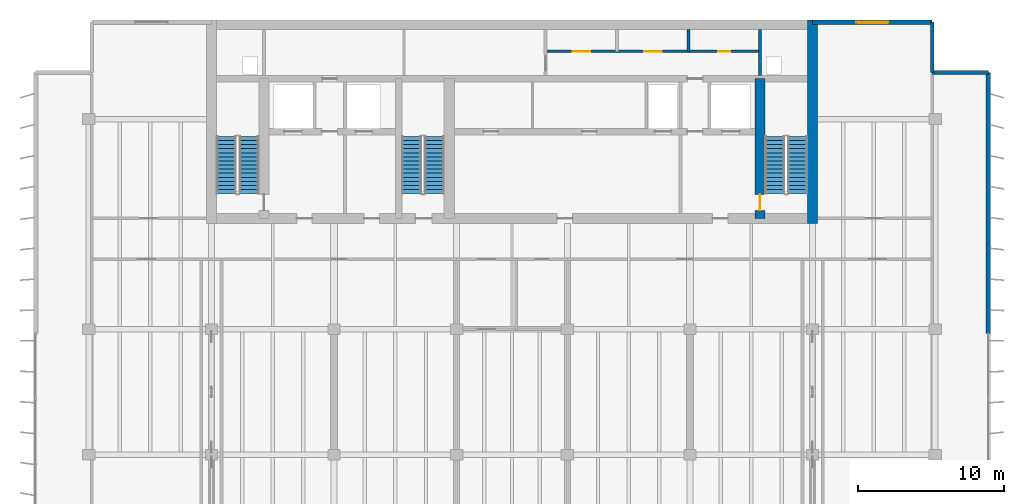
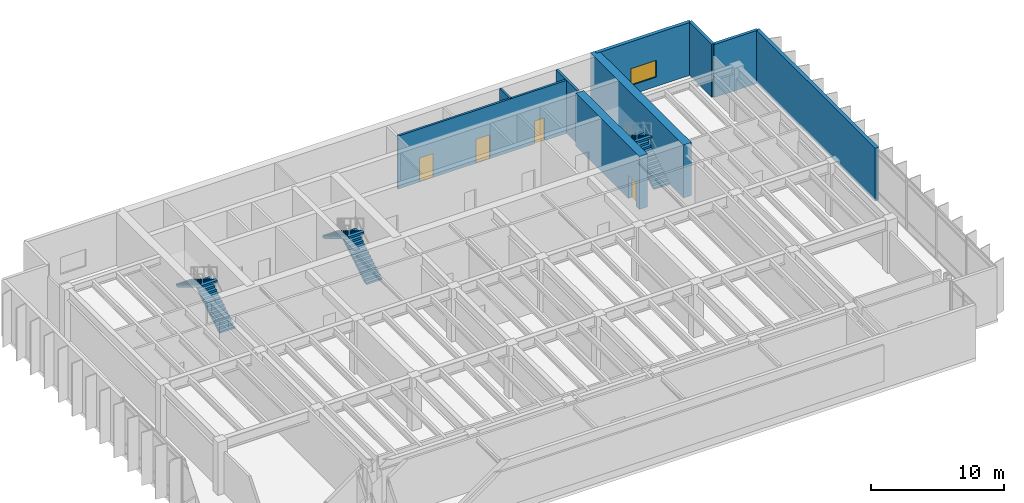
# One storey, part 18 of 23: 9 walls, 6 stair flights, 4 doors, 1 window, 5 openings, 3 elements without a shape of their own.
"""IFC4 building model written with IfcOpenShell, lengths in metres."""

from ifc_helpers import new_model, si_unit, direction, frame, frame_2d, origin, place, context, subcontext, project, spatial, polyline, rectangle, outline, extrude, material, layer, layer_set, type_object, element, fill, aggregate, save


model = new_model("IFC4")

# Units and contexts
model_context = context("Model", 3, precision=1e-05, world=origin(), true_north=direction((0.0, 1.0)))
body_context = subcontext(model_context, "Body", "Model", "MODEL_VIEW")
ifc_project = project(units=[si_unit("LENGTHUNIT", "METRE"), si_unit("AREAUNIT", "SQUARE_METRE"), si_unit("VOLUMEUNIT", "CUBIC_METRE"), si_unit("PLANEANGLEUNIT", "RADIAN"), si_unit("MASSUNIT", "GRAM", prefix="KILO")], contexts=[model_context])

# Site, building, storey
site_placement = place(None, origin())
site = spatial("IfcSite", under=ifc_project, at=site_placement, CompositionType="ELEMENT")
building_placement = place(site_placement, origin())
building = spatial("IfcBuilding", under=site, at=building_placement, Name="Caelmar Bay Residences", CompositionType="ELEMENT")
storey_placement = place(building_placement, frame((0.0, 0.0, 221.39990234375)))
storey = spatial("IfcBuildingStorey", under=building, at=storey_placement, Name="L62", CompositionType="ELEMENT", Elevation=221.39990234375)

# Wall
ifc_material_1 = material(Name="Concrete f'c 55 MPa (8,000 psi)", Category="concrete")
ifc_layer_1 = layer(ifc_material_1, 0.699951171875)
ifc_layer_set_1 = layer_set([ifc_layer_1], Name="Concrete f'c 55 MPa (8,000 psi)")
wall_type_1 = type_object("IfcWallType", Name="SW-COR-700", PredefinedType="SHEAR", material=ifc_layer_set_1)
wall_1_placement = place(storey_placement, frame((59.5, 36.64990234375, 0.0), z_axis=(0.0, 0.0, 1.0), x_axis=(0.0, 1.0, 0.0)))
element("IfcWall", 1, at=wall_1_placement, inside=storey, type_object=wall_type_1, Name="L62 Rear Core East Shear Wall", PredefinedType="SHEAR", context=body_context, shape_type="SweptSolid", body=[
    extrude(rectangle(XDim=13.9501953125, YDim=0.699951171875, at=frame_2d((6.97509765625, 0.0))), origin(), (0.0, 0.0, 1.0), 4.85009765625),
])

# Wall, opening, door
wall_2_placement = place(storey_placement, frame((55.89990234375, 37.0, 0.0), z_axis=(0.0, 0.0, 1.0), x_axis=(0.0, 1.0, 0.0)))
wall_2 = element("IfcWall", 2, at=wall_2_placement, inside=storey, type_object=wall_type_1, Name="L62 Core Structural Web Wall ST2W", PredefinedType="SHEAR", context=body_context, shape_type="SweptSolid", body=[
    extrude(rectangle(XDim=9.574951171875, YDim=0.699951171875, at=frame_2d((4.78759765625, 0.0))), origin(), (0.0, 0.0, 1.0), 4.85009765625),
])
opening_1_placement = place(wall_2_placement, frame((0.550048828125, 0.0, 0.0)))
opening_1 = element("IfcOpeningElement", 3, at=opening_1_placement, cuts=wall_2, Name="Opening D-L62-110", PredefinedType="OPENING", context=body_context, shape_type="SweptSolid", body=[
    extrude(rectangle(XDim=1.10009765625, YDim=2.14990234375, at=frame_2d((0.550048828125, 1.074951171875))), frame((0.0, 0.35986328125, 0.0), z_axis=(0.0, -1.0, 0.0), x_axis=(1.0, 0.0, 0.0)), (0.0, 0.0, 1.0), 0.719970703125),
])
ifc_material_2 = material(Name="Fire-rated steel and walnut architectural door assembly", Category="steel")
ifc_layer_2 = layer(ifc_material_2, 0.050048828125)
ifc_layer_set_2 = layer_set([ifc_layer_2], Name="Fire-rated steel and walnut architectural door assembly")
door_type_1 = type_object("IfcDoorType", Name="D-STAIR-1100", OperationType="NOTDEFINED", PredefinedType="DOOR", material=ifc_layer_set_2)
door_1_placement = place(opening_1_placement, origin())
door_1 = element("IfcDoor", 4, at=door_1_placement, inside=storey, type_object=door_type_1, Name="L62 Firefighting Lobby East Door", OperationType="SINGLE_SWING_LEFT", OverallHeight=2.14990234375, OverallWidth=1.10009765625, PredefinedType="DOOR", context=body_context, shape_type="SweptSolid", body=[
    extrude(rectangle(XDim=1.10009765625, YDim=2.14990234375, at=frame_2d((0.550048828125, 1.074951171875))), frame((0.0, 0.02490234375, 0.0), z_axis=(0.0, -1.0, 0.0), x_axis=(1.0, 0.0, 0.0)), (0.0, 0.0, 1.0), 0.050048828125),
])
fill(opening_1, door_1)

# Wall
ifc_material_3 = material(Name="Double-stud acoustic fire-rated gypsum partition 180 mm")
ifc_layer_3 = layer(ifc_material_3, 0.179931640625)
ifc_layer_set_3 = layer_set([ifc_layer_3], Name="Double-stud acoustic fire-rated gypsum partition 180 mm")
wall_type_2 = type_object("IfcWallType", Name="W-COR-200", PredefinedType="PARTITIONING", material=ifc_layer_set_3)
wall_3_placement = place(storey_placement, frame((51.0, 48.449951171875, 0.0), z_axis=(0.0, 0.0, 1.0), x_axis=(0.0, 1.0, 0.0)))
element("IfcWall", 5, at=wall_3_placement, inside=storey, type_object=wall_type_2, Name="L62 Partition Wall V025", PredefinedType="PARTITIONING", context=body_context, shape_type="SweptSolid", body=[
    extrude(rectangle(XDim=1.505126953125, YDim=0.179931640625, at=frame_2d((0.75244140625, 0.0))), origin(), (0.0, 0.0, 1.0), 4.85009765625),
])

# Wall, openings, doors
wall_4_placement = place(storey_placement, frame((41.199951171875, 48.449951171875, 0.0), z_axis=(0.0, 0.0, 1.0), x_axis=(1.0, 0.0, 0.0)))
wall_4 = element("IfcWall", 6, at=wall_4_placement, inside=storey, type_object=wall_type_2, Name="L62 Partition Wall H052", PredefinedType="PARTITIONING", context=body_context, shape_type="SweptSolid", body=[
    extrude(rectangle(XDim=14.699951171875, YDim=0.179931640625, at=frame_2d((7.35009765625, 0.0))), origin(), (0.0, 0.0, 1.0), 4.85009765625),
])
opening_2_placement = place(wall_4_placement, frame((1.85009765625, 0.0, 0.0)))
opening_2 = element("IfcOpeningElement", 7, at=opening_2_placement, cuts=wall_4, Name="Opening D-L62-119", PredefinedType="OPENING", context=body_context, shape_type="SweptSolid", body=[
    extrude(rectangle(XDim=1.199951171875, YDim=2.199951171875, at=frame_2d((0.60009765625, 1.10009765625))), frame((0.0, 0.099853515625, 0.0), z_axis=(0.0, -1.0, 0.0), x_axis=(1.0, 0.0, 0.0)), (0.0, 0.0, 1.0), 0.199951171875),
])
opening_3_placement = place(wall_4_placement, frame((6.75, 0.0, 0.0)))
opening_3 = element("IfcOpeningElement", 8, at=opening_3_placement, cuts=wall_4, Name="Opening D-L62-120", PredefinedType="OPENING", context=body_context, shape_type="SweptSolid", body=[
    extrude(rectangle(XDim=1.199951171875, YDim=2.199951171875, at=frame_2d((0.60009765625, 1.10009765625))), frame((0.0, 0.099853515625, 0.0), z_axis=(0.0, -1.0, 0.0), x_axis=(1.0, 0.0, 0.0)), (0.0, 0.0, 1.0), 0.199951171875),
])
opening_4_placement = place(wall_4_placement, frame((11.824951171875, 0.0, 0.0)))
opening_4 = element("IfcOpeningElement", 9, at=opening_4_placement, cuts=wall_4, Name="Opening D-L62-121", PredefinedType="OPENING", context=body_context, shape_type="SweptSolid", body=[
    extrude(rectangle(XDim=0.85009765625, YDim=2.10009765625, at=frame_2d((0.425048828125, 1.050048828125))), frame((0.0, 0.099853515625, 0.0), z_axis=(0.0, -1.0, 0.0), x_axis=(1.0, 0.0, 0.0)), (0.0, 0.0, 1.0), 0.199951171875),
])
ifc_layer_4 = layer(ifc_material_2, 0.050048828125)
ifc_layer_set_4 = layer_set([ifc_layer_4], Name="Fire-rated steel and walnut architectural door assembly")
door_type_2 = type_object("IfcDoorType", Name="D-CORE-850", OperationType="NOTDEFINED", PredefinedType="DOOR", material=ifc_layer_set_4)
door_2_placement = place(opening_4_placement, origin())
door_2 = element("IfcDoor", 10, at=door_2_placement, inside=storey, type_object=door_type_2, Name="L62 Accessible Staff WC Door", OperationType="SINGLE_SWING_RIGHT", OverallHeight=2.10009765625, OverallWidth=0.85009765625, PredefinedType="DOOR", context=body_context, shape_type="SweptSolid", body=[
    extrude(rectangle(XDim=0.85009765625, YDim=2.10009765625, at=frame_2d((0.425048828125, 1.050048828125))), frame((0.0, 0.02490234375, 0.0), z_axis=(0.0, -1.0, 0.0), x_axis=(1.0, 0.0, 0.0)), (0.0, 0.0, 1.0), 0.050048828125),
])
fill(opening_4, door_2)
ifc_layer_5 = layer(ifc_material_2, 0.050048828125)
ifc_layer_set_5 = layer_set([ifc_layer_5], Name="Fire-rated steel and walnut architectural door assembly")
door_type_3 = type_object("IfcDoorType", Name="D-PLANT-1200", OperationType="NOTDEFINED", PredefinedType="DOOR", material=ifc_layer_set_5)
door_3_placement = place(opening_2_placement, origin())
door_3 = element("IfcDoor", 11, at=door_3_placement, inside=storey, type_object=door_type_3, Name="L62 Electrical Closet Door", OperationType="SINGLE_SWING_RIGHT", OverallHeight=2.199951171875, OverallWidth=1.199951171875, PredefinedType="DOOR", context=body_context, shape_type="SweptSolid", body=[
    extrude(rectangle(XDim=1.199951171875, YDim=2.199951171875, at=frame_2d((0.60009765625, 1.10009765625))), frame((0.0, 0.02490234375, 0.0), z_axis=(0.0, -1.0, 0.0), x_axis=(1.0, 0.0, 0.0)), (0.0, 0.0, 1.0), 0.050048828125),
])
fill(opening_2, door_3)
door_4_placement = place(opening_3_placement, origin())
door_4 = element("IfcDoor", 12, at=door_4_placement, inside=storey, type_object=door_type_3, Name="L62 Housekeeping Linen Closet Door", OperationType="SINGLE_SWING_LEFT", OverallHeight=2.199951171875, OverallWidth=1.199951171875, PredefinedType="DOOR", context=body_context, shape_type="SweptSolid", body=[
    extrude(rectangle(XDim=1.199951171875, YDim=2.199951171875, at=frame_2d((0.60009765625, 1.10009765625))), frame((0.0, 0.02490234375, 0.0), z_axis=(0.0, -1.0, 0.0), x_axis=(1.0, 0.0, 0.0)), (0.0, 0.0, 1.0), 0.050048828125),
])
fill(opening_3, door_4)

# Walls
ifc_material_4 = material(Name="Precast concrete f'c 40 MPa (6,000 psi)", Category="concrete")
ifc_layer_6 = layer(ifc_material_4, 0.25)
ifc_layer_set_6 = layer_set([ifc_layer_6], Name="Precast concrete f'c 40 MPa (6,000 psi)")
wall_type_3 = type_object("IfcWallType", Name="W-EXT-250", PredefinedType="ELEMENTEDWALL", material=ifc_layer_set_6)
wall_5_placement = place(storey_placement, frame((67.699951171875, 50.449951171875, 0.0), z_axis=(0.0, 0.0, 1.0), x_axis=(0.0, -1.0, 0.0)))
element("IfcWall", 13, at=wall_5_placement, inside=storey, type_object=wall_type_3, Name="L62 NNE-V Notch Wall", PredefinedType="ELEMENTEDWALL", context=body_context, shape_type="SweptSolid", body=[
    extrude(rectangle(XDim=3.449951171875, YDim=0.25, at=frame_2d((1.72509765625, 0.0))), origin(), (0.0, 0.0, 1.0), 4.85009765625),
])
wall_6_placement = place(storey_placement, frame((67.699951171875, 47.0, 0.0), z_axis=(0.0, 0.0, 1.0), x_axis=(1.0, 0.0, 0.0)))
element("IfcWall", 14, at=wall_6_placement, inside=storey, type_object=wall_type_3, Name="L62 NNE-H Notch Wall", PredefinedType="ELEMENTEDWALL", context=body_context, shape_type="SweptSolid", body=[
    extrude(rectangle(XDim=3.85009765625, YDim=0.25, at=frame_2d((1.925048828125, 0.0))), origin(), (0.0, 0.0, 1.0), 4.85009765625),
])
ifc_layer_7 = layer(ifc_material_4, 0.300048828125)
ifc_layer_set_7 = layer_set([ifc_layer_7], Name="Precast concrete f'c 40 MPa (6,000 psi)")
wall_type_4 = type_object("IfcWallType", Name="W-EXT-300", PredefinedType="STANDARD", material=ifc_layer_set_7)
wall_7_placement = place(storey_placement, frame((71.550048828125, 47.0, 0.0), z_axis=(0.0, 0.0, 1.0), x_axis=(0.0, -1.0, 0.0)))
element("IfcWall", 15, at=wall_7_placement, inside=storey, type_object=wall_type_4, Name="L62 East Rear Exterior Wall", PredefinedType="STANDARD", context=body_context, shape_type="SweptSolid", body=[
    extrude(rectangle(XDim=17.89990234375, YDim=0.300048828125, at=frame_2d((8.949951171875, 0.0))), origin(), (0.0, 0.0, 1.0), 4.85009765625),
])

# Wall, opening, window
wall_8_placement = place(storey_placement, frame((59.5, 50.449951171875, 0.0), z_axis=(0.0, 0.0, 1.0), x_axis=(1.0, 0.0, 0.0)))
wall_8 = element("IfcWall", 16, at=wall_8_placement, inside=storey, type_object=wall_type_4, Name="L62 North-East Wing Exterior Wall", PredefinedType="STANDARD", context=body_context, shape_type="SweptSolid", body=[
    extrude(rectangle(XDim=8.199951171875, YDim=0.300048828125, at=frame_2d((4.10009765625, 0.0))), origin(), (0.0, 0.0, 1.0), 4.85009765625),
])
opening_5_placement = place(wall_8_placement, frame((3.0, 0.0, 0.85009765625)))
opening_5 = element("IfcOpeningElement", 17, at=opening_5_placement, cuts=wall_8, Name="Opening WN2", PredefinedType="OPENING", context=body_context, shape_type="SweptSolid", body=[
    extrude(rectangle(XDim=2.199951171875, YDim=1.550048828125, at=frame_2d((1.10009765625, 0.77490234375))), frame((0.0, 0.159912109375, 0.0), z_axis=(0.0, -1.0, 0.0), x_axis=(1.0, 0.0, 0.0)), (0.0, 0.0, 1.0), 0.320068359375),
])
ifc_material_5 = material(Name="Bronze aluminium frame with laminated low-E glass", Category="aluminium")
ifc_layer_8 = layer(ifc_material_5, 0.06005859375)
ifc_layer_set_8 = layer_set([ifc_layer_8], Name="Bronze aluminium frame with laminated low-E glass")
window_type = type_object("IfcWindowType", Name="WIN-BR-2200", PartitioningType="SINGLE_PANEL", PredefinedType="WINDOW", material=ifc_layer_set_8)
window_placement = place(opening_5_placement, origin())
window = element("IfcWindow", 18, at=window_placement, inside=storey, type_object=window_type, Name="L62 North-East Studio Window", OverallHeight=1.550048828125, OverallWidth=2.199951171875, PartitioningType="SINGLE_PANEL", PredefinedType="WINDOW", context=body_context, shape_type="SweptSolid", body=[
    extrude(rectangle(XDim=2.199951171875, YDim=1.550048828125, at=frame_2d((1.10009765625, 0.77490234375))), frame((0.0, 0.030029296875, 0.0), z_axis=(0.0, -1.0, 0.0), x_axis=(1.0, 0.0, 0.0)), (0.0, 0.0, 1.0), 0.06005859375),
])
fill(opening_5, window)

# Wall
ifc_material_6 = material(Name="Fire-rated masonry and gypsum shaftliner assembly 200 mm", Category="masonry")
ifc_layer_9 = layer(ifc_material_6, 0.199951171875)
ifc_layer_set_9 = layer_set([ifc_layer_9], Name="Fire-rated masonry and gypsum shaftliner assembly 200 mm")
wall_type_5 = type_object("IfcWallType", Name="W-FSAE-200", PredefinedType="PARTITIONING", material=ifc_layer_set_9)
wall_9_placement = place(storey_placement, frame((55.89990234375, 46.794921875, 0.0), z_axis=(0.0, 0.0, 1.0), x_axis=(0.0, 1.0, 0.0)))
element("IfcWall", 19, at=wall_9_placement, inside=storey, type_object=wall_type_5, Name="L62 Partition Wall V027", PredefinedType="PARTITIONING", context=body_context, shape_type="SweptSolid", body=[
    extrude(rectangle(XDim=3.16015625, YDim=0.199951171875, at=frame_2d((1.580078125, 0.0))), origin(), (0.0, 0.0, 1.0), 4.85009765625),
])

# Stair, stair flights
ifc_material_7 = material(Name="Concrete f'c 40 MPa (6,000 psi)", Category="concrete")
stair_type = type_object("IfcStairType", Name="ST-TAL-170", PredefinedType="HALF_TURN_STAIR", material=ifc_material_7)
stair_1_placement = place(storey_placement, origin())
stair_1 = element("IfcStair", 20, at=stair_1_placement, inside=storey, type_object=stair_type, Name="L62 West Smokeproof Exit Stair ST1", PredefinedType="HALF_TURN_STAIR")
stair_flight_type = type_object("IfcStairFlightType", Name="STF-1400", PredefinedType="STRAIGHT", material=ifc_material_4)
stair_flight_1_placement = place(storey_placement, frame((20.875, 38.699951171875, 0.0), z_axis=(0.0, 0.0, 1.0), x_axis=(0.0, 1.0, 0.0)))
stair_flight_1 = element("IfcStairFlight", 21, at=stair_flight_1_placement, type_object=stair_flight_type, Name="ST1 flight 1", NumberOfRisers=15, NumberOfTreads=14, PredefinedType="STRAIGHT", RiserHeight=0.17, TreadLength=0.28, context=body_context, shape_type="SweptSolid", body=[
    extrude(outline(polyline([(0.0, 0.0), (0.0, 0.169921875), (0.280029296875, 0.169921875), (0.280029296875, 0.340087890625), (0.56005859375, 0.340087890625), (0.56005859375, 0.510009765625), (0.840087890625, 0.510009765625), (0.840087890625, 0.679931640625), (1.1201171875, 0.679931640625), (1.1201171875, 0.85009765625), (1.39990234375, 0.85009765625), (1.39990234375, 1.02001953125), (1.679931640625, 1.02001953125), (1.679931640625, 1.18994140625), (1.9599609375, 1.18994140625), (1.9599609375, 1.360107421875), (2.239990234375, 1.360107421875), (2.239990234375, 1.530029296875), (2.52001953125, 1.530029296875), (2.52001953125, 1.699951171875), (2.800048828125, 1.699951171875), (2.800048828125, 1.8701171875), (3.080078125, 1.8701171875), (3.080078125, 2.0400390625), (3.360107421875, 2.0400390625), (3.360107421875, 2.2099609375), (3.639892578125, 2.2099609375), (3.639892578125, 2.3798828125), (3.919921875, 2.3798828125), (3.919921875, 2.550048828125), (3.919921875, 2.20458984375), (0.288818359375, 0.0), (0.0, 0.0)])), frame((0.0, 0.675048828125, 0.0), z_axis=(0.0, -1.0, 0.0), x_axis=(1.0, 0.0, 0.0)), (0.0, 0.0, 1.0), 1.35009765625),
])
stair_flight_2_placement = place(storey_placement, frame((19.324951171875, 42.6201171875, 2.550048828125), z_axis=(0.0, 0.0, 1.0), x_axis=(0.0, -1.0, 0.0)))
stair_flight_2 = element("IfcStairFlight", 22, at=stair_flight_2_placement, type_object=stair_flight_type, Name="ST1 flight 2", NumberOfRisers=15, NumberOfTreads=14, PredefinedType="STRAIGHT", RiserHeight=0.17, TreadLength=0.28, context=body_context, shape_type="SweptSolid", body=[
    extrude(outline(polyline([(0.0, 0.0), (0.0, 0.169921875), (0.280029296875, 0.169921875), (0.280029296875, 0.340087890625), (0.56005859375, 0.340087890625), (0.56005859375, 0.510009765625), (0.840087890625, 0.510009765625), (0.840087890625, 0.679931640625), (1.1201171875, 0.679931640625), (1.1201171875, 0.85009765625), (1.39990234375, 0.85009765625), (1.39990234375, 1.02001953125), (1.679931640625, 1.02001953125), (1.679931640625, 1.18994140625), (1.9599609375, 1.18994140625), (1.9599609375, 1.360107421875), (2.239990234375, 1.360107421875), (2.239990234375, 1.530029296875), (2.52001953125, 1.530029296875), (2.52001953125, 1.699951171875), (2.800048828125, 1.699951171875), (2.800048828125, 1.8701171875), (3.080078125, 1.8701171875), (3.080078125, 2.0400390625), (3.360107421875, 2.0400390625), (3.360107421875, 2.2099609375), (3.639892578125, 2.2099609375), (3.639892578125, 2.3798828125), (3.919921875, 2.3798828125), (3.919921875, 2.550048828125), (3.919921875, 2.20458984375), (0.288818359375, 0.0), (0.0, 0.0)])), frame((0.0, 0.675048828125, 0.0), z_axis=(0.0, -1.0, 0.0), x_axis=(1.0, 0.0, 0.0)), (0.0, 0.0, 1.0), 1.35009765625),
])
aggregate(stair_1, [stair_flight_1, stair_flight_2])

stair_2_placement = place(storey_placement, origin())
stair_2 = element("IfcStair", 23, at=stair_2_placement, inside=storey, type_object=stair_type, Name="L62 East Smokeproof Exit Stair ST2", PredefinedType="HALF_TURN_STAIR")
stair_flight_3_placement = place(storey_placement, frame((58.47509765625, 38.699951171875, 0.0), z_axis=(0.0, 0.0, 1.0), x_axis=(0.0, 1.0, 0.0)))
stair_flight_3 = element("IfcStairFlight", 24, at=stair_flight_3_placement, type_object=stair_flight_type, Name="ST2 flight 1", NumberOfRisers=15, NumberOfTreads=14, PredefinedType="STRAIGHT", RiserHeight=0.17, TreadLength=0.28, context=body_context, shape_type="SweptSolid", body=[
    extrude(outline(polyline([(0.0, 0.0), (0.0, 0.169921875), (0.280029296875, 0.169921875), (0.280029296875, 0.340087890625), (0.56005859375, 0.340087890625), (0.56005859375, 0.510009765625), (0.840087890625, 0.510009765625), (0.840087890625, 0.679931640625), (1.1201171875, 0.679931640625), (1.1201171875, 0.85009765625), (1.39990234375, 0.85009765625), (1.39990234375, 1.02001953125), (1.679931640625, 1.02001953125), (1.679931640625, 1.18994140625), (1.9599609375, 1.18994140625), (1.9599609375, 1.360107421875), (2.239990234375, 1.360107421875), (2.239990234375, 1.530029296875), (2.52001953125, 1.530029296875), (2.52001953125, 1.699951171875), (2.800048828125, 1.699951171875), (2.800048828125, 1.8701171875), (3.080078125, 1.8701171875), (3.080078125, 2.0400390625), (3.360107421875, 2.0400390625), (3.360107421875, 2.2099609375), (3.639892578125, 2.2099609375), (3.639892578125, 2.3798828125), (3.919921875, 2.3798828125), (3.919921875, 2.550048828125), (3.919921875, 2.20458984375), (0.288818359375, 0.0), (0.0, 0.0)])), frame((0.0, 0.675048828125, 0.0), z_axis=(0.0, -1.0, 0.0), x_axis=(1.0, 0.0, 0.0)), (0.0, 0.0, 1.0), 1.35009765625),
])
stair_flight_4_placement = place(storey_placement, frame((56.925048828125, 42.6201171875, 2.550048828125), z_axis=(0.0, 0.0, 1.0), x_axis=(0.0, -1.0, 0.0)))
stair_flight_4 = element("IfcStairFlight", 25, at=stair_flight_4_placement, type_object=stair_flight_type, Name="ST2 flight 2", NumberOfRisers=15, NumberOfTreads=14, PredefinedType="STRAIGHT", RiserHeight=0.17, TreadLength=0.28, context=body_context, shape_type="SweptSolid", body=[
    extrude(outline(polyline([(0.0, 0.0), (0.0, 0.169921875), (0.280029296875, 0.169921875), (0.280029296875, 0.340087890625), (0.56005859375, 0.340087890625), (0.56005859375, 0.510009765625), (0.840087890625, 0.510009765625), (0.840087890625, 0.679931640625), (1.1201171875, 0.679931640625), (1.1201171875, 0.85009765625), (1.39990234375, 0.85009765625), (1.39990234375, 1.02001953125), (1.679931640625, 1.02001953125), (1.679931640625, 1.18994140625), (1.9599609375, 1.18994140625), (1.9599609375, 1.360107421875), (2.239990234375, 1.360107421875), (2.239990234375, 1.530029296875), (2.52001953125, 1.530029296875), (2.52001953125, 1.699951171875), (2.800048828125, 1.699951171875), (2.800048828125, 1.8701171875), (3.080078125, 1.8701171875), (3.080078125, 2.0400390625), (3.360107421875, 2.0400390625), (3.360107421875, 2.2099609375), (3.639892578125, 2.2099609375), (3.639892578125, 2.3798828125), (3.919921875, 2.3798828125), (3.919921875, 2.550048828125), (3.919921875, 2.20458984375), (0.288818359375, 0.0), (0.0, 0.0)])), frame((0.0, 0.675048828125, 0.0), z_axis=(0.0, -1.0, 0.0), x_axis=(1.0, 0.0, 0.0)), (0.0, 0.0, 1.0), 1.35009765625),
])
aggregate(stair_2, [stair_flight_3, stair_flight_4])

stair_3_placement = place(storey_placement, origin())
stair_3 = element("IfcStair", 26, at=stair_3_placement, inside=storey, type_object=stair_type, Name="L62 Central Smokeproof Exit Stair ST3", PredefinedType="HALF_TURN_STAIR")
stair_flight_5_placement = place(storey_placement, frame((33.574951171875, 38.699951171875, 0.0), z_axis=(0.0, 0.0, 1.0), x_axis=(0.0, 1.0, 0.0)))
stair_flight_5 = element("IfcStairFlight", 27, at=stair_flight_5_placement, type_object=stair_flight_type, Name="ST3 flight 1", NumberOfRisers=15, NumberOfTreads=14, PredefinedType="STRAIGHT", RiserHeight=0.17, TreadLength=0.28, context=body_context, shape_type="SweptSolid", body=[
    extrude(outline(polyline([(0.0, 0.0), (0.0, 0.169921875), (0.280029296875, 0.169921875), (0.280029296875, 0.340087890625), (0.56005859375, 0.340087890625), (0.56005859375, 0.510009765625), (0.840087890625, 0.510009765625), (0.840087890625, 0.679931640625), (1.1201171875, 0.679931640625), (1.1201171875, 0.85009765625), (1.39990234375, 0.85009765625), (1.39990234375, 1.02001953125), (1.679931640625, 1.02001953125), (1.679931640625, 1.18994140625), (1.9599609375, 1.18994140625), (1.9599609375, 1.360107421875), (2.239990234375, 1.360107421875), (2.239990234375, 1.530029296875), (2.52001953125, 1.530029296875), (2.52001953125, 1.699951171875), (2.800048828125, 1.699951171875), (2.800048828125, 1.8701171875), (3.080078125, 1.8701171875), (3.080078125, 2.0400390625), (3.360107421875, 2.0400390625), (3.360107421875, 2.2099609375), (3.639892578125, 2.2099609375), (3.639892578125, 2.3798828125), (3.919921875, 2.3798828125), (3.919921875, 2.550048828125), (3.919921875, 2.20458984375), (0.288818359375, 0.0), (0.0, 0.0)])), frame((0.0, 0.675048828125, 0.0), z_axis=(0.0, -1.0, 0.0), x_axis=(1.0, 0.0, 0.0)), (0.0, 0.0, 1.0), 1.35009765625),
])
stair_flight_6_placement = place(storey_placement, frame((32.02490234375, 42.6201171875, 2.550048828125), z_axis=(0.0, 0.0, 1.0), x_axis=(0.0, -1.0, 0.0)))
stair_flight_6 = element("IfcStairFlight", 28, at=stair_flight_6_placement, type_object=stair_flight_type, Name="ST3 flight 2", NumberOfRisers=15, NumberOfTreads=14, PredefinedType="STRAIGHT", RiserHeight=0.17, TreadLength=0.28, context=body_context, shape_type="SweptSolid", body=[
    extrude(outline(polyline([(0.0, 0.0), (0.0, 0.169921875), (0.280029296875, 0.169921875), (0.280029296875, 0.340087890625), (0.56005859375, 0.340087890625), (0.56005859375, 0.510009765625), (0.840087890625, 0.510009765625), (0.840087890625, 0.679931640625), (1.1201171875, 0.679931640625), (1.1201171875, 0.85009765625), (1.39990234375, 0.85009765625), (1.39990234375, 1.02001953125), (1.679931640625, 1.02001953125), (1.679931640625, 1.18994140625), (1.9599609375, 1.18994140625), (1.9599609375, 1.360107421875), (2.239990234375, 1.360107421875), (2.239990234375, 1.530029296875), (2.52001953125, 1.530029296875), (2.52001953125, 1.699951171875), (2.800048828125, 1.699951171875), (2.800048828125, 1.8701171875), (3.080078125, 1.8701171875), (3.080078125, 2.0400390625), (3.360107421875, 2.0400390625), (3.360107421875, 2.2099609375), (3.639892578125, 2.2099609375), (3.639892578125, 2.3798828125), (3.919921875, 2.3798828125), (3.919921875, 2.550048828125), (3.919921875, 2.20458984375), (0.288818359375, 0.0), (0.0, 0.0)])), frame((0.0, 0.675048828125, 0.0), z_axis=(0.0, -1.0, 0.0), x_axis=(1.0, 0.0, 0.0)), (0.0, 0.0, 1.0), 1.35009765625),
])
aggregate(stair_3, [stair_flight_5, stair_flight_6])

save(model, "model.ifc")
